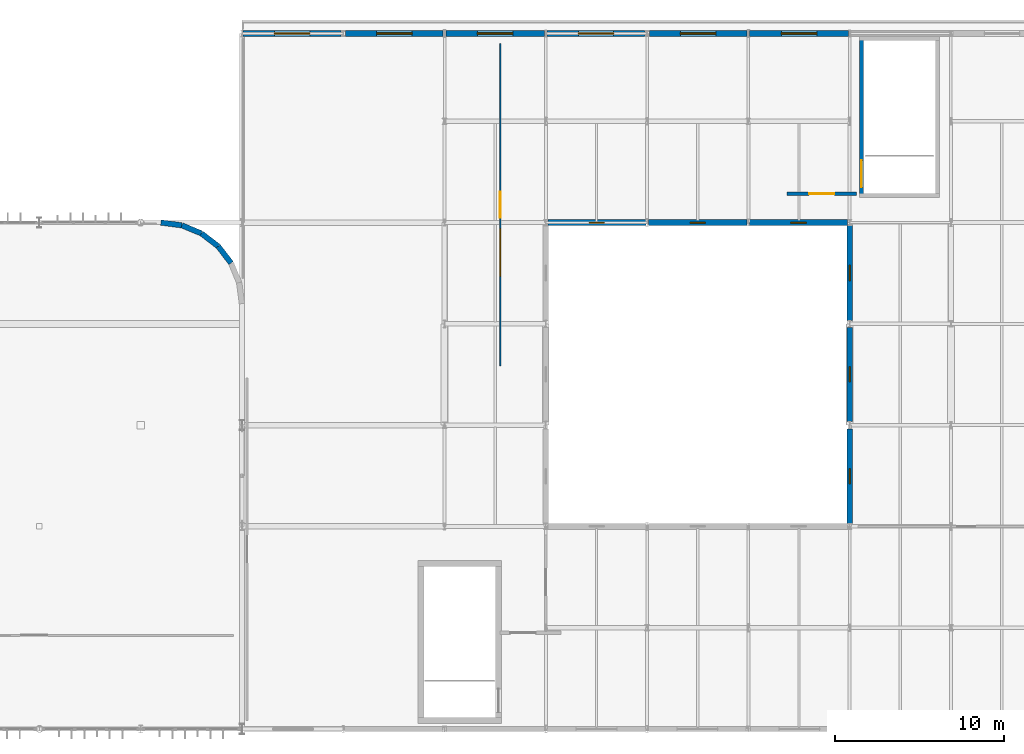
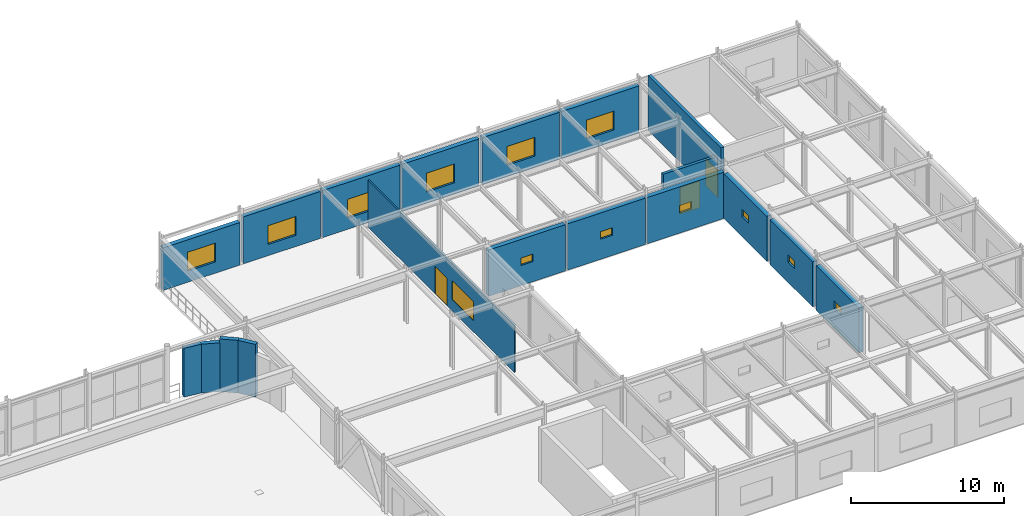
# One storey, part 61 of 84: 19 walls, 13 windows, 3 doors, 16 openings.
"""IFC4 building model written with IfcOpenShell, lengths in metres."""

from ifc_helpers import new_model, si_unit, direction, frame, frame_2d, origin, place, context, subcontext, project, spatial, rectangle, extrude, material, layer, layer_set, type_object, element, fill, save


model = new_model("IFC4")

# Units and contexts
model_context = context("Model", 3, precision=1e-05, world=origin(), true_north=direction((0.0, 1.0)))
body_context = subcontext(model_context, "Body", "Model", "MODEL_VIEW")
ifc_project = project(units=[si_unit("LENGTHUNIT", "METRE"), si_unit("AREAUNIT", "SQUARE_METRE"), si_unit("VOLUMEUNIT", "CUBIC_METRE"), si_unit("PLANEANGLEUNIT", "RADIAN"), si_unit("MASSUNIT", "GRAM", prefix="KILO")], contexts=[model_context])

# Site, building, storey
site_placement = place(None, origin())
site = spatial("IfcSite", under=ifc_project, at=site_placement, CompositionType="ELEMENT")
building_placement = place(site_placement, origin())
building = spatial("IfcBuilding", under=site, at=building_placement, Name="Varnakota Square Police Headquarters", CompositionType="ELEMENT")
storey_placement = place(building_placement, frame((0.0, 0.0, 13.5)))
storey = spatial("IfcBuildingStorey", under=building, at=storey_placement, Name="L03", CompositionType="ELEMENT", Elevation=13.5)

# Wall, opening, door
ifc_material_1 = material(Name="Concrete M40", Category="concrete")
ifc_layer_1 = layer(ifc_material_1, 0.22998046875, Name="Concrete M40")
ifc_layer_set_1 = layer_set([ifc_layer_1], Name="Concrete M40")
wall_type_1 = type_object("IfcWallType", Name="WL-CORE-230", PredefinedType="SHEAR", material=ifc_layer_set_1)
wall_1_placement = place(storey_placement, frame((132.699951171875, 110.014892578125, 0.0), z_axis=(0.0, 0.0, 1.0), x_axis=(0.0, -1.0, 0.0)))
wall_1 = element("IfcWall", 1, at=wall_1_placement, inside=storey, type_object=wall_type_1, Name="Core C8 shear wall L03 W", PredefinedType="SHEAR", context=body_context, shape_type="SweptSolid", body=[
    extrude(rectangle(XDim=9.52978515625, YDim=0.22998046875, at=frame_2d((4.764892578125, 0.0))), origin(), (0.0, 0.0, 1.0), 4.360107421875),
])
opening_1_placement = place(wall_1_placement, frame((7.3349609375, 0.0, 0.0)))
opening_1 = element("IfcOpeningElement", 2, at=opening_1_placement, cuts=wall_1, Name="Opening SD117", PredefinedType="OPENING", context=body_context, shape_type="SweptSolid", body=[
    extrude(rectangle(XDim=1.60009765625, YDim=2.199951171875, at=frame_2d((0.800048828125, 1.10009765625))), frame((0.0, 0.125, 0.0), z_axis=(0.0, -1.0, 0.0), x_axis=(1.0, 0.0, 0.0)), (0.0, 0.0, 1.0), 0.25),
])
ifc_material_2 = material(Name="Powder-Coated Galvanised Steel", Category="steel")
door_type_1 = type_object("IfcDoorType", Name="DR-ST-160", OperationType="NOTDEFINED", PredefinedType="DOOR", material=ifc_material_2)
door_1_placement = place(opening_1_placement, origin())
door_1 = element("IfcDoor", 3, at=door_1_placement, inside=storey, type_object=door_type_1, Name="Protected stair door SD117", OperationType="DOUBLE_DOOR_SINGLE_SWING", OverallHeight=2.199951171875, OverallWidth=1.60009765625, PredefinedType="DOOR", context=body_context, shape_type="SweptSolid", body=[
    extrude(rectangle(XDim=1.60009765625, YDim=2.199951171875, at=frame_2d((0.800048828125, 1.10009765625))), frame((0.0, 0.02490234375, 0.0), z_axis=(0.0, -1.0, 0.0), x_axis=(1.0, 0.0, 0.0)), (0.0, 0.0, 1.0), 0.050048828125),
])
fill(opening_1, door_1)

# Walls
ifc_material_3 = material(Name="Precast concrete M40", Category="concrete")
ifc_layer_2 = layer(ifc_material_3, 0.320068359375, Name="Precast concrete M40")
ifc_layer_set_2 = layer_set([ifc_layer_2], Name="Precast concrete M40")
wall_type_2 = type_object("IfcWallType", Name="WL-EXT-320", PredefinedType="SOLIDWALL", material=ifc_layer_set_2)
for number, where, z_axis, x_axis, name in (
    (4, (95.35693359375, 96.60009765625, 0.0), (0.0, 0.0, 1.0), (-0.60891003886, 0.793239285824, 0.0), "Exterior wall EW-L03-0532"),
    (5, (94.593994140625, 97.593994140625, 0.0), (0.0, 0.0, 1.0), (-0.793239285824, 0.60891003886, 0.0), "Exterior wall EW-L03-0533"),
):
    element("IfcWall", number, at=place(storey_placement, frame(where, z_axis=z_axis, x_axis=x_axis)), inside=storey, type_object=wall_type_2, Name=name, PredefinedType="SOLIDWALL", context=body_context, shape_type="SweptSolid", body=[
        extrude(rectangle(XDim=1.2529296875, YDim=0.320068359375, at=frame_2d((0.62646484375, 0.0))), origin(), (0.0, 0.0, 1.0), 4.195068359375),
    ])
for number, where, z_axis, x_axis, name in (
    (6, (93.60009765625, 98.35693359375, 0.0), (0.0, 0.0, 1.0), (-0.92389335771, 0.382650053678, 0.0), "Exterior wall EW-L03-0534"),
    (7, (92.4423828125, 98.83642578125, 0.0), (0.0, 0.0, 1.0), (-0.991444346045, 0.130530106475, 0.0), "Exterior wall EW-L03-0535"),
):
    element("IfcWall", number, at=place(storey_placement, frame(where, z_axis=z_axis, x_axis=x_axis)), inside=storey, type_object=wall_type_2, Name=name, PredefinedType="SOLIDWALL", context=body_context, shape_type="SweptSolid", body=[
        extrude(rectangle(XDim=1.253173828125, YDim=0.320068359375, at=frame_2d((0.62646484375, 0.0))), origin(), (0.0, 0.0, 1.0), 3.889892578125),
    ])

# Wall, opening, window
ifc_layer_3 = layer(ifc_material_1, 0.340087890625, Name="Concrete M40")
ifc_layer_set_3 = layer_set([ifc_layer_3], Name="Concrete M40")
wall_type_3 = type_object("IfcWallType", Name="WL-EXT-340", PredefinedType="SOLIDWALL", material=ifc_layer_set_3)
wall_2_placement = place(storey_placement, frame((96.073974609375, 110.199951171875, 0.0), z_axis=(0.0, 0.0, 1.0), x_axis=(1.0, 0.0, 0.0)))
wall_2 = element("IfcWall", 8, at=wall_2_placement, inside=storey, type_object=wall_type_3, Name="Exterior wall EW-L03-0760", PredefinedType="SOLIDWALL", context=body_context, shape_type="SweptSolid", body=[
    extrude(rectangle(XDim=5.797119140625, YDim=0.340087890625, at=frame_2d((2.8984375, 0.0))), origin(), (0.0, 0.0, 1.0), 3.389892578125),
])
opening_2_placement = place(wall_2_placement, frame((1.848388671875, 0.0, 0.89990234375)))
opening_2 = element("IfcOpeningElement", 9, at=opening_2_placement, cuts=wall_2, Name="Opening W08", PredefinedType="OPENING", context=body_context, shape_type="SweptSolid", body=[
    extrude(rectangle(XDim=2.10009765625, YDim=1.5, at=frame_2d((1.050048828125, 0.75))), frame((0.0, 0.179931640625, 0.0), z_axis=(0.0, -1.0, 0.0), x_axis=(1.0, 0.0, 0.0)), (0.0, 0.0, 1.0), 0.360107421875),
])
ifc_material_4 = material(Name="Thermally Broken Aluminium Double-Glazed Window", Category="aluminium")
window_type_1 = type_object("IfcWindowType", Name="WIN-08", PartitioningType="SINGLE_PANEL", PredefinedType="WINDOW", material=ifc_material_4)
window_1_placement = place(opening_2_placement, origin())
window_1 = element("IfcWindow", 10, at=window_1_placement, inside=storey, type_object=window_type_1, Name="Window WN-L03-0260", OverallHeight=1.5, OverallWidth=2.10009765625, PartitioningType="SINGLE_PANEL", PredefinedType="WINDOW", context=body_context, shape_type="SweptSolid", body=[
    extrude(rectangle(XDim=2.10009765625, YDim=1.5, at=frame_2d((1.050048828125, 0.75))), frame((0.0, 0.030029296875, 0.0), z_axis=(0.0, -1.0, 0.0), x_axis=(1.0, 0.0, 0.0)), (0.0, 0.0, 1.0), 0.06005859375),
])
fill(opening_2, window_1)

wall_3_placement = place(storey_placement, frame((102.12890625, 110.199951171875, 0.0), z_axis=(0.0, 0.0, 1.0), x_axis=(1.0, 0.0, 0.0)))
wall_3 = element("IfcWall", 11, at=wall_3_placement, inside=storey, type_object=wall_type_3, Name="Exterior wall EW-L03-0761", PredefinedType="SOLIDWALL", context=body_context, shape_type="SweptSolid", body=[
    extrude(rectangle(XDim=5.7919921875, YDim=0.340087890625, at=frame_2d((2.89599609375, 0.0))), origin(), (0.0, 0.0, 1.0), 3.739990234375),
])
opening_3_placement = place(wall_3_placement, frame((1.845947265625, 0.0, 0.89990234375)))
opening_3 = element("IfcOpeningElement", 12, at=opening_3_placement, cuts=wall_3, Name="Opening W08", PredefinedType="OPENING", context=body_context, shape_type="SweptSolid", body=[
    extrude(rectangle(XDim=2.10009765625, YDim=1.5, at=frame_2d((1.050048828125, 0.75))), frame((0.0, 0.179931640625, 0.0), z_axis=(0.0, -1.0, 0.0), x_axis=(1.0, 0.0, 0.0)), (0.0, 0.0, 1.0), 0.360107421875),
])
window_2_placement = place(opening_3_placement, origin())
window_2 = element("IfcWindow", 13, at=window_2_placement, inside=storey, type_object=window_type_1, Name="Window WN-L03-0261", OverallHeight=1.5, OverallWidth=2.10009765625, PartitioningType="SINGLE_PANEL", PredefinedType="WINDOW", context=body_context, shape_type="SweptSolid", body=[
    extrude(rectangle(XDim=2.10009765625, YDim=1.5, at=frame_2d((1.050048828125, 0.75))), frame((0.0, 0.030029296875, 0.0), z_axis=(0.0, -1.0, 0.0), x_axis=(1.0, 0.0, 0.0)), (0.0, 0.0, 1.0), 0.06005859375),
])
fill(opening_3, window_2)

wall_4_placement = place(storey_placement, frame((108.0791015625, 110.199951171875, 0.0), z_axis=(0.0, 0.0, 1.0), x_axis=(1.0, 0.0, 0.0)))
wall_4 = element("IfcWall", 14, at=wall_4_placement, inside=storey, type_object=wall_type_3, Name="Exterior wall EW-L03-0762", PredefinedType="SOLIDWALL", context=body_context, shape_type="SweptSolid", body=[
    extrude(rectangle(XDim=5.846923828125, YDim=0.340087890625, at=frame_2d((2.92333984375, 0.0))), origin(), (0.0, 0.0, 1.0), 3.739990234375),
])
opening_4_placement = place(wall_4_placement, frame((1.87353515625, 0.0, 0.89990234375)))
opening_4 = element("IfcOpeningElement", 15, at=opening_4_placement, cuts=wall_4, Name="Opening W08", PredefinedType="OPENING", context=body_context, shape_type="SweptSolid", body=[
    extrude(rectangle(XDim=2.10009765625, YDim=1.5, at=frame_2d((1.050048828125, 0.75))), frame((0.0, 0.179931640625, 0.0), z_axis=(0.0, -1.0, 0.0), x_axis=(1.0, 0.0, 0.0)), (0.0, 0.0, 1.0), 0.360107421875),
])
window_3_placement = place(opening_4_placement, origin())
window_3 = element("IfcWindow", 16, at=window_3_placement, inside=storey, type_object=window_type_1, Name="Window WN-L03-0262", OverallHeight=1.5, OverallWidth=2.10009765625, PartitioningType="SINGLE_PANEL", PredefinedType="WINDOW", context=body_context, shape_type="SweptSolid", body=[
    extrude(rectangle(XDim=2.10009765625, YDim=1.5, at=frame_2d((1.050048828125, 0.75))), frame((0.0, 0.030029296875, 0.0), z_axis=(0.0, -1.0, 0.0), x_axis=(1.0, 0.0, 0.0)), (0.0, 0.0, 1.0), 0.06005859375),
])
fill(opening_4, window_3)

wall_5_placement = place(storey_placement, frame((114.073974609375, 110.199951171875, 0.0), z_axis=(0.0, 0.0, 1.0), x_axis=(1.0, 0.0, 0.0)))
wall_5 = element("IfcWall", 17, at=wall_5_placement, inside=storey, type_object=wall_type_3, Name="Exterior wall EW-L03-0763", PredefinedType="SOLIDWALL", context=body_context, shape_type="SweptSolid", body=[
    extrude(rectangle(XDim=5.797119140625, YDim=0.340087890625, at=frame_2d((2.8984375, 0.0))), origin(), (0.0, 0.0, 1.0), 3.739990234375),
])
opening_5_placement = place(wall_5_placement, frame((1.848388671875, 0.0, 0.89990234375)))
opening_5 = element("IfcOpeningElement", 18, at=opening_5_placement, cuts=wall_5, Name="Opening W08", PredefinedType="OPENING", context=body_context, shape_type="SweptSolid", body=[
    extrude(rectangle(XDim=2.10009765625, YDim=1.5, at=frame_2d((1.050048828125, 0.75))), frame((0.0, 0.179931640625, 0.0), z_axis=(0.0, -1.0, 0.0), x_axis=(1.0, 0.0, 0.0)), (0.0, 0.0, 1.0), 0.360107421875),
])
window_4_placement = place(opening_5_placement, origin())
window_4 = element("IfcWindow", 19, at=window_4_placement, inside=storey, type_object=window_type_1, Name="Window WN-L03-0263", OverallHeight=1.5, OverallWidth=2.10009765625, PartitioningType="SINGLE_PANEL", PredefinedType="WINDOW", context=body_context, shape_type="SweptSolid", body=[
    extrude(rectangle(XDim=2.10009765625, YDim=1.5, at=frame_2d((1.050048828125, 0.75))), frame((0.0, 0.030029296875, 0.0), z_axis=(0.0, -1.0, 0.0), x_axis=(1.0, 0.0, 0.0)), (0.0, 0.0, 1.0), 0.06005859375),
])
fill(opening_5, window_4)

wall_6_placement = place(storey_placement, frame((120.12890625, 110.199951171875, 0.0), z_axis=(0.0, 0.0, 1.0), x_axis=(1.0, 0.0, 0.0)))
wall_6 = element("IfcWall", 20, at=wall_6_placement, inside=storey, type_object=wall_type_3, Name="Exterior wall EW-L03-0764", PredefinedType="SOLIDWALL", context=body_context, shape_type="SweptSolid", body=[
    extrude(rectangle(XDim=5.7919921875, YDim=0.340087890625, at=frame_2d((2.89599609375, 0.0))), origin(), (0.0, 0.0, 1.0), 3.739990234375),
])
opening_6_placement = place(wall_6_placement, frame((1.845947265625, 0.0, 0.89990234375)))
opening_6 = element("IfcOpeningElement", 21, at=opening_6_placement, cuts=wall_6, Name="Opening W08", PredefinedType="OPENING", context=body_context, shape_type="SweptSolid", body=[
    extrude(rectangle(XDim=2.10009765625, YDim=1.5, at=frame_2d((1.050048828125, 0.75))), frame((0.0, 0.179931640625, 0.0), z_axis=(0.0, -1.0, 0.0), x_axis=(1.0, 0.0, 0.0)), (0.0, 0.0, 1.0), 0.360107421875),
])
window_5_placement = place(opening_6_placement, origin())
window_5 = element("IfcWindow", 22, at=window_5_placement, inside=storey, type_object=window_type_1, Name="Window WN-L03-0264", OverallHeight=1.5, OverallWidth=2.10009765625, PartitioningType="SINGLE_PANEL", PredefinedType="WINDOW", context=body_context, shape_type="SweptSolid", body=[
    extrude(rectangle(XDim=2.10009765625, YDim=1.5, at=frame_2d((1.050048828125, 0.75))), frame((0.0, 0.030029296875, 0.0), z_axis=(0.0, -1.0, 0.0), x_axis=(1.0, 0.0, 0.0)), (0.0, 0.0, 1.0), 0.06005859375),
])
fill(opening_6, window_5)

wall_7_placement = place(storey_placement, frame((126.0791015625, 110.199951171875, 0.0), z_axis=(0.0, 0.0, 1.0), x_axis=(1.0, 0.0, 0.0)))
wall_7 = element("IfcWall", 23, at=wall_7_placement, inside=storey, type_object=wall_type_3, Name="Exterior wall EW-L03-0765", PredefinedType="SOLIDWALL", context=body_context, shape_type="SweptSolid", body=[
    extrude(rectangle(XDim=5.846923828125, YDim=0.340087890625, at=frame_2d((2.92333984375, 0.0))), origin(), (0.0, 0.0, 1.0), 3.739990234375),
])
opening_7_placement = place(wall_7_placement, frame((1.87353515625, 0.0, 0.89990234375)))
opening_7 = element("IfcOpeningElement", 24, at=opening_7_placement, cuts=wall_7, Name="Opening W08", PredefinedType="OPENING", context=body_context, shape_type="SweptSolid", body=[
    extrude(rectangle(XDim=2.10009765625, YDim=1.5, at=frame_2d((1.050048828125, 0.75))), frame((0.0, 0.179931640625, 0.0), z_axis=(0.0, -1.0, 0.0), x_axis=(1.0, 0.0, 0.0)), (0.0, 0.0, 1.0), 0.360107421875),
])
window_6_placement = place(opening_7_placement, origin())
window_6 = element("IfcWindow", 25, at=window_6_placement, inside=storey, type_object=window_type_1, Name="Window WN-L03-0265", OverallHeight=1.5, OverallWidth=2.10009765625, PartitioningType="SINGLE_PANEL", PredefinedType="WINDOW", context=body_context, shape_type="SweptSolid", body=[
    extrude(rectangle(XDim=2.10009765625, YDim=1.5, at=frame_2d((1.050048828125, 0.75))), frame((0.0, 0.030029296875, 0.0), z_axis=(0.0, -1.0, 0.0), x_axis=(1.0, 0.0, 0.0)), (0.0, 0.0, 1.0), 0.06005859375),
])
fill(opening_7, window_6)

wall_8_placement = place(storey_placement, frame((114.12890625, 99.0, 0.0), z_axis=(0.0, 0.0, 1.0), x_axis=(1.0, 0.0, 0.0)))
wall_8 = element("IfcWall", 26, at=wall_8_placement, inside=storey, type_object=wall_type_3, Name="Exterior wall EW-L03-0784", PredefinedType="SOLIDWALL", context=body_context, shape_type="SweptSolid", body=[
    extrude(rectangle(XDim=5.7919921875, YDim=0.340087890625, at=frame_2d((2.89599609375, 0.0))), origin(), (0.0, 0.0, 1.0), 3.68994140625),
])
opening_8_placement = place(wall_8_placement, frame((2.446044921875, 0.0, 1.60009765625)))
opening_8 = element("IfcOpeningElement", 27, at=opening_8_placement, cuts=wall_8, Name="Opening W13", PredefinedType="OPENING", context=body_context, shape_type="SweptSolid", body=[
    extrude(rectangle(XDim=0.89990234375, YDim=0.60009765625, at=frame_2d((0.449951171875, 0.300048828125))), frame((0.0, 0.179931640625, 0.0), z_axis=(0.0, -1.0, 0.0), x_axis=(1.0, 0.0, 0.0)), (0.0, 0.0, 1.0), 0.360107421875),
])
window_type_2 = type_object("IfcWindowType", Name="WIN-13", PartitioningType="SINGLE_PANEL", PredefinedType="WINDOW", material=ifc_material_4)
window_7_placement = place(opening_8_placement, origin())
window_7 = element("IfcWindow", 28, at=window_7_placement, inside=storey, type_object=window_type_2, Name="Window WN-L03-0281", OverallHeight=0.60009765625, OverallWidth=0.89990234375, PartitioningType="SINGLE_PANEL", PredefinedType="WINDOW", context=body_context, shape_type="SweptSolid", body=[
    extrude(rectangle(XDim=0.89990234375, YDim=0.60009765625, at=frame_2d((0.449951171875, 0.300048828125))), frame((0.0, 0.030029296875, 0.0), z_axis=(0.0, -1.0, 0.0), x_axis=(1.0, 0.0, 0.0)), (0.0, 0.0, 1.0), 0.06005859375),
])
fill(opening_8, window_7)

wall_9_placement = place(storey_placement, frame((120.0791015625, 99.0, 0.0), z_axis=(0.0, 0.0, 1.0), x_axis=(1.0, 0.0, 0.0)))
wall_9 = element("IfcWall", 29, at=wall_9_placement, inside=storey, type_object=wall_type_3, Name="Exterior wall EW-L03-0786", PredefinedType="SOLIDWALL", context=body_context, shape_type="SweptSolid", body=[
    extrude(rectangle(XDim=5.846923828125, YDim=0.340087890625, at=frame_2d((2.92333984375, 0.0))), origin(), (0.0, 0.0, 1.0), 3.68994140625),
])
opening_9_placement = place(wall_9_placement, frame((2.473388671875, 0.0, 1.60009765625)))
opening_9 = element("IfcOpeningElement", 30, at=opening_9_placement, cuts=wall_9, Name="Opening W13", PredefinedType="OPENING", context=body_context, shape_type="SweptSolid", body=[
    extrude(rectangle(XDim=0.89990234375, YDim=0.60009765625, at=frame_2d((0.449951171875, 0.300048828125))), frame((0.0, 0.179931640625, 0.0), z_axis=(0.0, -1.0, 0.0), x_axis=(1.0, 0.0, 0.0)), (0.0, 0.0, 1.0), 0.360107421875),
])
window_8_placement = place(opening_9_placement, origin())
window_8 = element("IfcWindow", 31, at=window_8_placement, inside=storey, type_object=window_type_2, Name="Window WN-L03-0283", OverallHeight=0.60009765625, OverallWidth=0.89990234375, PartitioningType="SINGLE_PANEL", PredefinedType="WINDOW", context=body_context, shape_type="SweptSolid", body=[
    extrude(rectangle(XDim=0.89990234375, YDim=0.60009765625, at=frame_2d((0.449951171875, 0.300048828125))), frame((0.0, 0.030029296875, 0.0), z_axis=(0.0, -1.0, 0.0), x_axis=(1.0, 0.0, 0.0)), (0.0, 0.0, 1.0), 0.06005859375),
])
fill(opening_9, window_8)

wall_10_placement = place(storey_placement, frame((126.073974609375, 99.0, 0.0), z_axis=(0.0, 0.0, 1.0), x_axis=(1.0, 0.0, 0.0)))
wall_10 = element("IfcWall", 32, at=wall_10_placement, inside=storey, type_object=wall_type_3, Name="Exterior wall EW-L03-0788", PredefinedType="SOLIDWALL", context=body_context, shape_type="SweptSolid", body=[
    extrude(rectangle(XDim=5.797119140625, YDim=0.340087890625, at=frame_2d((2.8984375, 0.0))), origin(), (0.0, 0.0, 1.0), 3.68994140625),
])
opening_10_placement = place(wall_10_placement, frame((2.448486328125, 0.0, 1.60009765625)))
opening_10 = element("IfcOpeningElement", 33, at=opening_10_placement, cuts=wall_10, Name="Opening W13", PredefinedType="OPENING", context=body_context, shape_type="SweptSolid", body=[
    extrude(rectangle(XDim=0.89990234375, YDim=0.60009765625, at=frame_2d((0.449951171875, 0.300048828125))), frame((0.0, 0.179931640625, 0.0), z_axis=(0.0, -1.0, 0.0), x_axis=(1.0, 0.0, 0.0)), (0.0, 0.0, 1.0), 0.360107421875),
])
window_9_placement = place(opening_10_placement, origin())
window_9 = element("IfcWindow", 34, at=window_9_placement, inside=storey, type_object=window_type_2, Name="Window WN-L03-0285", OverallHeight=0.60009765625, OverallWidth=0.89990234375, PartitioningType="SINGLE_PANEL", PredefinedType="WINDOW", context=body_context, shape_type="SweptSolid", body=[
    extrude(rectangle(XDim=0.89990234375, YDim=0.60009765625, at=frame_2d((0.449951171875, 0.300048828125))), frame((0.0, 0.030029296875, 0.0), z_axis=(0.0, -1.0, 0.0), x_axis=(1.0, 0.0, 0.0)), (0.0, 0.0, 1.0), 0.06005859375),
])
fill(opening_10, window_9)

wall_11_placement = place(storey_placement, frame((132.0, 81.178955078125, 0.0), z_axis=(0.0, 0.0, 1.0), x_axis=(0.0, 1.0, 0.0)))
wall_11 = element("IfcWall", 35, at=wall_11_placement, inside=storey, type_object=wall_type_3, Name="Exterior wall EW-L03-0790", PredefinedType="SOLIDWALL", context=body_context, shape_type="SweptSolid", body=[
    extrude(rectangle(XDim=5.592041015625, YDim=0.340087890625, at=frame_2d((2.7958984375, 0.0))), origin(), (0.0, 0.0, 1.0), 3.590087890625),
])
opening_11_placement = place(wall_11_placement, frame((2.345947265625, 0.0, 1.60009765625)))
opening_11 = element("IfcOpeningElement", 36, at=opening_11_placement, cuts=wall_11, Name="Opening W13", PredefinedType="OPENING", context=body_context, shape_type="SweptSolid", body=[
    extrude(rectangle(XDim=0.89990234375, YDim=0.60009765625, at=frame_2d((0.449951171875, 0.300048828125))), frame((0.0, 0.179931640625, 0.0), z_axis=(0.0, -1.0, 0.0), x_axis=(1.0, 0.0, 0.0)), (0.0, 0.0, 1.0), 0.360107421875),
])
window_10_placement = place(opening_11_placement, origin())
window_10 = element("IfcWindow", 37, at=window_10_placement, inside=storey, type_object=window_type_2, Name="Window WN-L03-0287", OverallHeight=0.60009765625, OverallWidth=0.89990234375, PartitioningType="SINGLE_PANEL", PredefinedType="WINDOW", context=body_context, shape_type="SweptSolid", body=[
    extrude(rectangle(XDim=0.89990234375, YDim=0.60009765625, at=frame_2d((0.449951171875, 0.300048828125))), frame((0.0, 0.030029296875, 0.0), z_axis=(0.0, -1.0, 0.0), x_axis=(1.0, 0.0, 0.0)), (0.0, 0.0, 1.0), 0.06005859375),
])
fill(opening_11, window_10)

wall_12_placement = place(storey_placement, frame((132.0, 87.22900390625, 0.0), z_axis=(0.0, 0.0, 1.0), x_axis=(0.0, 1.0, 0.0)))
wall_12 = element("IfcWall", 38, at=wall_12_placement, inside=storey, type_object=wall_type_3, Name="Exterior wall EW-L03-0792", PredefinedType="SOLIDWALL", context=body_context, shape_type="SweptSolid", body=[
    extrude(rectangle(XDim=5.56689453125, YDim=0.340087890625, at=frame_2d((2.783447265625, 0.0))), origin(), (0.0, 0.0, 1.0), 3.590087890625),
])
opening_12_placement = place(wall_12_placement, frame((2.33349609375, 0.0, 1.60009765625)))
opening_12 = element("IfcOpeningElement", 39, at=opening_12_placement, cuts=wall_12, Name="Opening W13", PredefinedType="OPENING", context=body_context, shape_type="SweptSolid", body=[
    extrude(rectangle(XDim=0.89990234375, YDim=0.60009765625, at=frame_2d((0.449951171875, 0.300048828125))), frame((0.0, 0.179931640625, 0.0), z_axis=(0.0, -1.0, 0.0), x_axis=(1.0, 0.0, 0.0)), (0.0, 0.0, 1.0), 0.360107421875),
])
window_11_placement = place(opening_12_placement, origin())
window_11 = element("IfcWindow", 40, at=window_11_placement, inside=storey, type_object=window_type_2, Name="Window WN-L03-0289", OverallHeight=0.60009765625, OverallWidth=0.89990234375, PartitioningType="SINGLE_PANEL", PredefinedType="WINDOW", context=body_context, shape_type="SweptSolid", body=[
    extrude(rectangle(XDim=0.89990234375, YDim=0.60009765625, at=frame_2d((0.449951171875, 0.300048828125))), frame((0.0, 0.030029296875, 0.0), z_axis=(0.0, -1.0, 0.0), x_axis=(1.0, 0.0, 0.0)), (0.0, 0.0, 1.0), 0.06005859375),
])
fill(opening_12, window_11)

wall_13_placement = place(storey_placement, frame((132.0, 93.2041015625, 0.0), z_axis=(0.0, 0.0, 1.0), x_axis=(0.0, 1.0, 0.0)))
wall_13 = element("IfcWall", 41, at=wall_13_placement, inside=storey, type_object=wall_type_3, Name="Exterior wall EW-L03-0794", PredefinedType="SOLIDWALL", context=body_context, shape_type="SweptSolid", body=[
    extrude(rectangle(XDim=5.616943359375, YDim=0.340087890625, at=frame_2d((2.80859375, 0.0))), origin(), (0.0, 0.0, 1.0), 3.590087890625),
])
opening_13_placement = place(wall_13_placement, frame((2.3583984375, 0.0, 1.60009765625)))
opening_13 = element("IfcOpeningElement", 42, at=opening_13_placement, cuts=wall_13, Name="Opening W13", PredefinedType="OPENING", context=body_context, shape_type="SweptSolid", body=[
    extrude(rectangle(XDim=0.89990234375, YDim=0.60009765625, at=frame_2d((0.449951171875, 0.300048828125))), frame((0.0, 0.179931640625, 0.0), z_axis=(0.0, -1.0, 0.0), x_axis=(1.0, 0.0, 0.0)), (0.0, 0.0, 1.0), 0.360107421875),
])
window_12_placement = place(opening_13_placement, origin())
window_12 = element("IfcWindow", 43, at=window_12_placement, inside=storey, type_object=window_type_2, Name="Window WN-L03-0291", OverallHeight=0.60009765625, OverallWidth=0.89990234375, PartitioningType="SINGLE_PANEL", PredefinedType="WINDOW", context=body_context, shape_type="SweptSolid", body=[
    extrude(rectangle(XDim=0.89990234375, YDim=0.60009765625, at=frame_2d((0.449951171875, 0.300048828125))), frame((0.0, 0.030029296875, 0.0), z_axis=(0.0, -1.0, 0.0), x_axis=(1.0, 0.0, 0.0)), (0.0, 0.0, 1.0), 0.06005859375),
])
fill(opening_13, window_12)

# Wall, openings, door, window
ifc_material_5 = material(Name="Glazed Clean-Lab Modular Partition", Category="gypsum")
ifc_layer_4 = layer(ifc_material_5, 0.10498046875, Name="Glazed Clean-Lab Modular Partition")
ifc_layer_set_4 = layer_set([ifc_layer_4], Name="Glazed Clean-Lab Modular Partition")
wall_type_4 = type_object("IfcWallType", Name="WL-PRT-105", PredefinedType="PARTITIONING", material=ifc_layer_set_4)
wall_14_placement = place(storey_placement, frame((111.300048828125, 109.60009765625, 0.0), z_axis=(0.0, 0.0, 1.0), x_axis=(0.0, -1.0, 0.0)))
wall_14 = element("IfcWall", 44, at=wall_14_placement, inside=storey, type_object=wall_type_4, Name="Interior partition PW-L03-0181 (Cyber Investigation Training Classroom)", PredefinedType="PARTITIONING", context=body_context, shape_type="SweptSolid", body=[
    extrude(rectangle(XDim=19.10009765625, YDim=0.10498046875, at=frame_2d((9.550048828125, 0.0))), origin(), (0.0, 0.0, 1.0), 3.739990234375),
])
opening_14_placement = place(wall_14_placement, frame((8.77490234375, 0.0, 0.0)))
opening_14 = element("IfcOpeningElement", 45, at=opening_14_placement, cuts=wall_14, Name="Opening D257", PredefinedType="OPENING", context=body_context, shape_type="SweptSolid", body=[
    extrude(rectangle(XDim=1.550048828125, YDim=2.199951171875, at=frame_2d((0.77490234375, 1.10009765625))), frame((0.0, 0.0625, 0.0), z_axis=(0.0, -1.0, 0.0), x_axis=(1.0, 0.0, 0.0)), (0.0, 0.0, 1.0), 0.125),
])
opening_15_placement = place(wall_14_placement, frame((10.97509765625, 0.0, 0.89990234375)))
opening_15 = element("IfcOpeningElement", 46, at=opening_15_placement, cuts=wall_14, Name="Opening IW08", PredefinedType="OPENING", context=body_context, shape_type="SweptSolid", body=[
    extrude(rectangle(XDim=2.800048828125, YDim=1.5, at=frame_2d((1.39990234375, 0.75))), frame((0.0, 0.0625, 0.0), z_axis=(0.0, -1.0, 0.0), x_axis=(1.0, 0.0, 0.0)), (0.0, 0.0, 1.0), 0.125),
])
ifc_material_6 = material(Name="Solid-Core Acoustic Oak Veneer Timber", Category="wood")
door_type_2 = type_object("IfcDoorType", Name="DR-BRF-155", OperationType="NOTDEFINED", PredefinedType="DOOR", material=ifc_material_6)
door_2_placement = place(opening_14_placement, origin())
door_2 = element("IfcDoor", 47, at=door_2_placement, inside=storey, type_object=door_type_2, Name="Room door D257 (Cyber Investigation Training Classroom)", OperationType="DOUBLE_DOOR_SINGLE_SWING", OverallHeight=2.199951171875, OverallWidth=1.550048828125, PredefinedType="DOOR", context=body_context, shape_type="SweptSolid", body=[
    extrude(rectangle(XDim=1.550048828125, YDim=2.199951171875, at=frame_2d((0.77490234375, 1.10009765625))), frame((0.0, 0.02490234375, 0.0), z_axis=(0.0, -1.0, 0.0), x_axis=(1.0, 0.0, 0.0)), (0.0, 0.0, 1.0), 0.050048828125),
])
fill(opening_14, door_2)
ifc_material_7 = material(Name="Acoustic Laminated Interior Vision Glazing", Category="glass")
window_type_3 = type_object("IfcWindowType", Name="WIN-INT-08", PartitioningType="SINGLE_PANEL", PredefinedType="WINDOW", material=ifc_material_7)
window_13_placement = place(opening_15_placement, origin())
window_13 = element("IfcWindow", 48, at=window_13_placement, inside=storey, type_object=window_type_3, Name="Interior observation window IWN-L03-032", OverallHeight=1.5, OverallWidth=2.800048828125, PartitioningType="SINGLE_PANEL", PredefinedType="WINDOW", context=body_context, shape_type="SweptSolid", body=[
    extrude(rectangle(XDim=2.800048828125, YDim=1.5, at=frame_2d((1.39990234375, 0.75))), frame((0.0, 0.030029296875, 0.0), z_axis=(0.0, -1.0, 0.0), x_axis=(1.0, 0.0, 0.0)), (0.0, 0.0, 1.0), 0.06005859375),
])
fill(opening_15, window_13)

# Wall, opening, door
ifc_layer_5 = layer(ifc_material_1, 0.215087890625, Name="Concrete M40")
ifc_layer_set_5 = layer_set([ifc_layer_5], Name="Concrete M40")
wall_type_5 = type_object("IfcWallType", Name="WL-PRT-215F", PredefinedType="PARTITIONING", material=ifc_layer_set_5)
wall_15_placement = place(storey_placement, frame((128.300048828125, 100.699951171875, 0.0), z_axis=(0.0, 0.0, 1.0), x_axis=(1.0, 0.0, 0.0)))
wall_15 = element("IfcWall", 49, at=wall_15_placement, inside=storey, type_object=wall_type_5, Name="Core C8 lobby fire partition L03", PredefinedType="PARTITIONING", context=body_context, shape_type="SweptSolid", body=[
    extrude(rectangle(XDim=4.099853515625, YDim=0.215087890625, at=frame_2d((2.0498046875, 0.0))), origin(), (0.0, 0.0, 1.0), 3.68994140625),
])
opening_16_placement = place(wall_15_placement, frame((1.300048828125, 0.0, 0.0)))
opening_16 = element("IfcOpeningElement", 50, at=opening_16_placement, cuts=wall_15, Name="Opening FD122", PredefinedType="OPENING", context=body_context, shape_type="SweptSolid", body=[
    extrude(rectangle(XDim=1.5, YDim=2.14990234375, at=frame_2d((0.75, 1.074951171875))), frame((0.0, 0.117431640625, 0.0), z_axis=(0.0, -1.0, 0.0), x_axis=(1.0, 0.0, 0.0)), (0.0, 0.0, 1.0), 0.235107421875),
])
ifc_material_8 = material(Name="Smoke-Sealed Galvanised Acoustic Steel", Category="steel")
door_type_3 = type_object("IfcDoorType", Name="DR-FFL-150", OperationType="NOTDEFINED", PredefinedType="DOOR", material=ifc_material_8)
door_3_placement = place(opening_16_placement, origin())
door_3 = element("IfcDoor", 51, at=door_3_placement, inside=storey, type_object=door_type_3, Name="Core lobby smoke door FD122", OperationType="DOUBLE_DOOR_SINGLE_SWING", OverallHeight=2.14990234375, OverallWidth=1.5, PredefinedType="DOOR", context=body_context, shape_type="SweptSolid", body=[
    extrude(rectangle(XDim=1.5, YDim=2.14990234375, at=frame_2d((0.75, 1.074951171875))), frame((0.0, 0.02490234375, 0.0), z_axis=(0.0, -1.0, 0.0), x_axis=(1.0, 0.0, 0.0)), (0.0, 0.0, 1.0), 0.050048828125),
])
fill(opening_16, door_3)

save(model, "model.ifc")
